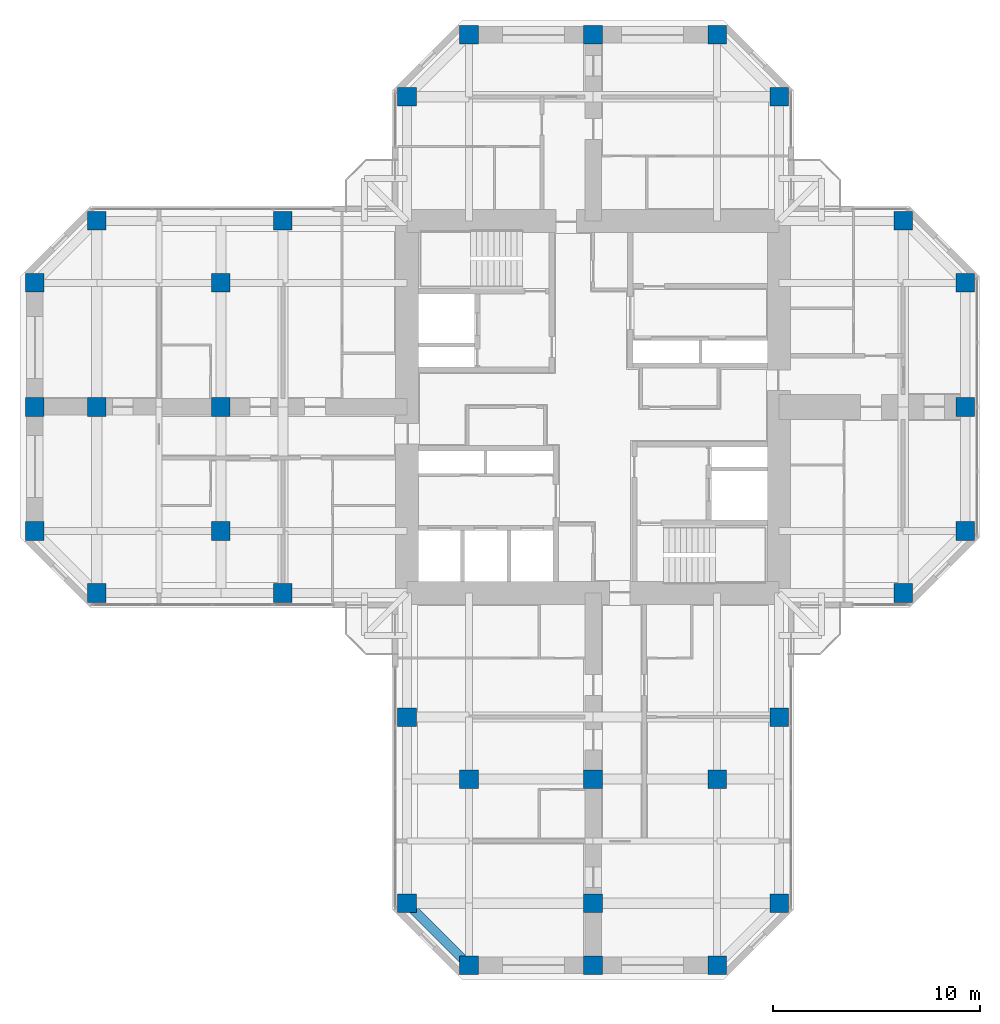
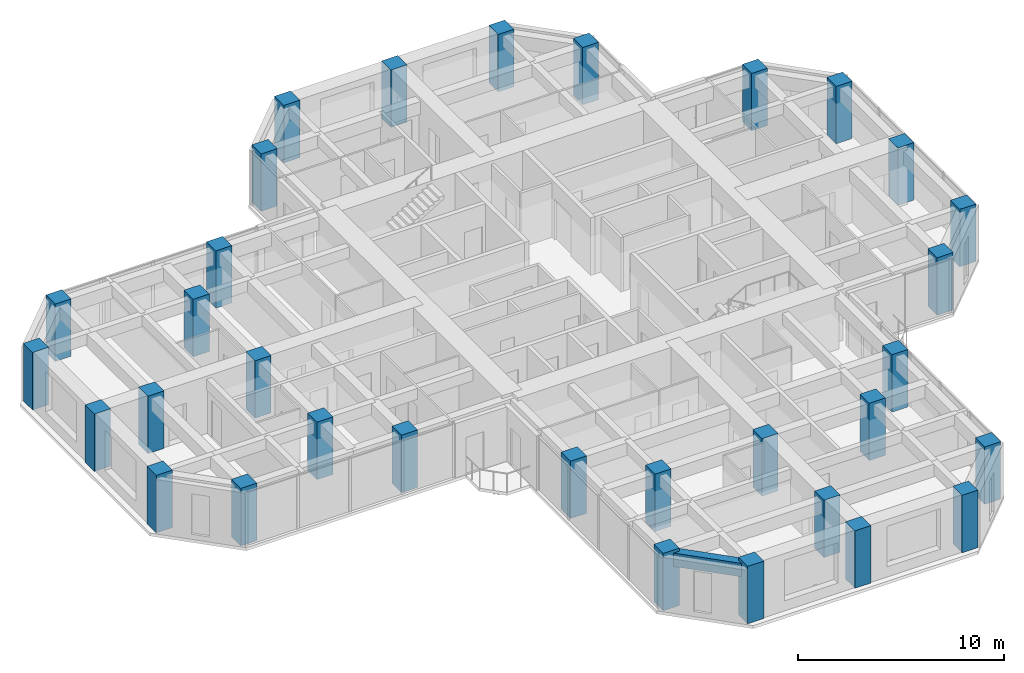
# One storey, part 1 of 14: 32 columns, 1 beam.
"""IFC4 building model written with IfcOpenShell, lengths in metres."""

import ifcopenshell
import ifcopenshell.guid

model = None  # the IFC model being written
_history = None  # IfcOwnerHistory: only IFC2X3 demands one
_inside = {}  # id of a spatial element -> (the spatial element, [elements in it])
_under = {}  # id of a project, library or spatial element -> (it, [spatial elements below it])
_declared = {}  # id of a project -> (the project, [libraries it declares])
_typed = {}  # id of a type object -> (the type object, [elements of that type])
_made_of = {}  # id of a material, layer set ... -> (it, [elements and type objects made of it])


def new_model(schema):
    """Start an empty IFC model of exactly this schema.

    Asked for "IFC4X3", IfcOpenShell would pick the latest addendum, in which some entities
    have other attributes; the version numbers below select the first issue.
    IFC2X3 requires an IfcOwnerHistory on every rooted entity: one is made here for all.
    """
    global model, _history
    if schema == "IFC4X3":
        model = ifcopenshell.file(schema_version=(4, 3, 0, 0))
    else:
        model = ifcopenshell.file(schema=schema)
    _inside.clear()
    _under.clear()
    _declared.clear()
    _typed.clear()
    _made_of.clear()
    _history = None
    if model.schema == "IFC2X3":
        org = make("IfcOrganization", Name="unknown")
        user = make(
            "IfcPersonAndOrganization",
            ThePerson=make("IfcPerson", FamilyName="unknown"),
            TheOrganization=org,
        )
        app = make(
            "IfcApplication",
            ApplicationDeveloper=org,
            Version="unknown",
            ApplicationFullName="unknown",
            ApplicationIdentifier="unknown",
        )
        _history = make(
            "IfcOwnerHistory",
            OwningUser=user,
            OwningApplication=app,
            ChangeAction="ADDED",
            CreationDate=0,
        )
    return model


def make(cls, **values):
    """One entity of the class cls with the attributes given. An attribute that is None is left unset."""
    return model.create_entity(
        cls, **{name: value for name, value in values.items() if value is not None}
    )


def rooted(cls, **values):
    """An entity with a GlobalId (a new one), such as an element, a storey or a relation."""
    return make(cls, GlobalId=ifcopenshell.guid.new(), OwnerHistory=_history, **values)


def si_unit(unit_type, name, prefix=None):
    """IfcSIUnit, for example si_unit("LENGTHUNIT", "METRE", prefix="MILLI")."""
    return make("IfcSIUnit", UnitType=unit_type, Prefix=prefix, Name=name)


def assignment(units):
    """IfcUnitAssignment: the units of a project."""
    return None if units is None else make("IfcUnitAssignment", Units=units)


def point(xyz):
    """IfcCartesianPoint."""
    return None if xyz is None else make("IfcCartesianPoint", Coordinates=xyz)


def direction(xyz):
    """IfcDirection."""
    return None if xyz is None else make("IfcDirection", DirectionRatios=xyz)


def frame(location, z_axis=None, x_axis=None):
    """IfcAxis2Placement3D, a coordinate frame: its origin and axes. An axis left out is left unset."""
    return make(
        "IfcAxis2Placement3D",
        Location=point(location),
        Axis=direction(z_axis),
        RefDirection=direction(x_axis),
    )


def frame_2d(location, x_axis=None):
    """IfcAxis2Placement2D, a coordinate frame in the plane: its origin and x axis."""
    return make(
        "IfcAxis2Placement2D", Location=point(location), RefDirection=direction(x_axis)
    )


def origin():
    """The frame at (0, 0, 0) with its axes left unset."""
    return frame((0.0, 0.0, 0.0))


def origin_2d():
    """The frame at (0, 0) in the plane with its x axis left unset."""
    return frame_2d((0.0, 0.0))


def place(relative_to, where):
    """IfcLocalPlacement: puts the frame where relative to a parent placement (None: the world)."""
    return make(
        "IfcLocalPlacement", PlacementRelTo=relative_to, RelativePlacement=where
    )


def context(
    kind, dimensions, precision=None, world=None, true_north=None, identifier=None
):
    """IfcGeometricRepresentationContext, for example the 3D "Model" context."""
    return make(
        "IfcGeometricRepresentationContext",
        ContextIdentifier=identifier,
        ContextType=kind,
        CoordinateSpaceDimension=dimensions,
        Precision=precision,
        WorldCoordinateSystem=world,
        TrueNorth=true_north,
    )


def subcontext(parent, identifier, kind, view, scale=None):
    """IfcGeometricRepresentationSubContext, for example "Body" below "Model"."""
    return make(
        "IfcGeometricRepresentationSubContext",
        ContextIdentifier=identifier,
        ContextType=kind,
        ParentContext=parent,
        TargetScale=scale,
        TargetView=view,
    )


def project(units=None, contexts=None):
    """IfcProject with its units and contexts."""
    return rooted(
        "IfcProject",
        Name="project",
        RepresentationContexts=contexts,
        UnitsInContext=assignment(units),
    )


def spatial(cls, under=None, at=None, **own):
    """A site, building, storey or space (cls), placed at a placement, below another one or the project."""
    s = rooted(cls, ObjectPlacement=at, **own)
    if under is not None:
        _under.setdefault(under.id(), (under, []))[1].append(s)
    return s


def profile(cls, at=None, kind="AREA", **sizes):
    """A parametric profile (cls). Its sizes go by their IFC names, for example OverallWidth=200.0."""
    return make(cls, ProfileType=kind, Position=at, **sizes)


def rectangle(**sizes):
    """IfcRectangleProfileDef."""
    return profile("IfcRectangleProfileDef", **sizes)


def extrude(swept, where, along, depth):
    """IfcExtrudedAreaSolid: the profile swept, set in the frame where, extruded along a direction by depth."""
    return make(
        "IfcExtrudedAreaSolid",
        SweptArea=swept,
        Position=where,
        ExtrudedDirection=direction(along),
        Depth=depth,
    )


def shape(context_of_items, identifier, shape_type, items):
    """IfcShapeRepresentation: the items that make up one representation, for example the "Body"."""
    return make(
        "IfcShapeRepresentation",
        ContextOfItems=context_of_items,
        RepresentationIdentifier=identifier,
        RepresentationType=shape_type,
        Items=items,
    )


def material(Name=None, Category=None):
    """IfcMaterial."""
    return make("IfcMaterial", Name=Name, Category=Category)


def material_profile(
    of_material, cross_section, Name=None, Category=None, Priority=None
):
    """IfcMaterialProfile: a cross section and its material."""
    return make(
        "IfcMaterialProfile",
        Name=Name,
        Material=of_material,
        Profile=cross_section,
        Priority=Priority,
        Category=Category,
    )


def profile_set(profiles, Name=None, composite=None):
    """IfcMaterialProfileSet."""
    return make(
        "IfcMaterialProfileSet",
        Name=Name,
        MaterialProfiles=profiles,
        CompositeProfile=composite,
    )


def made_of(thing, what):
    """Note that an element or type object is made of a material, layer set ...; save() writes the relation."""
    if what is not None:
        _made_of.setdefault(what.id(), (what, []))[1].append(thing)
    return thing


def type_object(cls, material=None, **own):
    """A type object (cls), such as IfcWallType, which elements share."""
    return made_of(rooted(cls, **own), material)


def element(
    cls,
    number,
    at=None,
    inside=None,
    cuts=None,
    type_object=None,
    material=None,
    context=None,
    identifier="Body",
    shape_type=None,
    held_by="IfcProductDefinitionShape",
    body=None,
    shapes=None,
    **own,
):
    """One element of the class cls, such as IfcWall. Its Tag is "e" and its number.

    at: its placement. inside: the storey or other place that contains it. cuts: it is an
    opening in that element (IfcRelVoidsElement). A single representation is given by context,
    identifier, shape_type and body (its items); several are given by shapes. held_by: the class
    of the entity that holds the representations. save() writes the other relations.
    """
    e = rooted(cls, Tag="e%d" % number, ObjectPlacement=at, **own)
    if body is not None:
        shapes = [shape(context, identifier, shape_type, body)]
    if shapes is not None:
        e.Representation = make(held_by, Representations=shapes)
    if inside is not None:
        _inside.setdefault(inside.id(), (inside, []))[1].append(e)
    if cuts is not None:
        rooted(
            "IfcRelVoidsElement", RelatingBuildingElement=cuts, RelatedOpeningElement=e
        )
    if type_object is not None:
        _typed.setdefault(type_object.id(), (type_object, []))[1].append(e)
    return made_of(e, material)


def aggregate(whole, parts):
    """IfcRelAggregates: a whole, such as a stair, and the parts it consists of."""
    return rooted("IfcRelAggregates", RelatingObject=whole, RelatedObjects=parts)


def save(model, path):
    """Write the relations noted so far, then the file.

    IfcRelAggregates (storeys below a building ...), IfcRelContainedInSpatialStructure (elements
    in a storey), IfcRelDefinesByType, IfcRelAssociatesMaterial and IfcRelDeclares: one each for
    every whole, place, type object, material and project.
    """
    for whole, parts in _under.values():
        aggregate(whole, parts)
    for where, things in _inside.values():
        rooted(
            "IfcRelContainedInSpatialStructure",
            RelatedElements=things,
            RelatingStructure=where,
        )
    for kind, things in _typed.values():
        rooted("IfcRelDefinesByType", RelatedObjects=things, RelatingType=kind)
    for what, things in _made_of.values():
        rooted("IfcRelAssociatesMaterial", RelatedObjects=things, RelatingMaterial=what)
    for by, libraries in _declared.values():
        rooted("IfcRelDeclares", RelatingContext=by, RelatedDefinitions=libraries)
    model.write(path)


model = new_model("IFC4")

# Units and contexts
model_context = context("Model", 3, precision=1e-05, world=origin(), true_north=direction((0.0, 1.0)))
body_context = subcontext(model_context, "Body", "Model", "MODEL_VIEW")
ifc_project = project(units=[si_unit("LENGTHUNIT", "METRE"), si_unit("AREAUNIT", "SQUARE_METRE"), si_unit("VOLUMEUNIT", "CUBIC_METRE"), si_unit("PLANEANGLEUNIT", "RADIAN"), si_unit("MASSUNIT", "GRAM", prefix="KILO")], contexts=[model_context])

# Site, building, storey
site_placement = place(None, origin())
site = spatial("IfcSite", under=ifc_project, at=site_placement, CompositionType="ELEMENT")
building_placement = place(site_placement, origin())
building = spatial("IfcBuilding", under=site, at=building_placement, Name="Torre Cruceta", CompositionType="ELEMENT")
storey_placement = place(building_placement, frame((0.0, 0.0, 183.10009765625)))
storey = spatial("IfcBuildingStorey", under=building, at=storey_placement, Name="L45", CompositionType="ELEMENT", Elevation=183.10009765625)

# Columns
ifc_material_1 = material(Name="Concrete G60 (fck 60 MPa)", Category="concrete")
ifc_material_profile_1 = material_profile(ifc_material_1, rectangle(XDim=0.89990234375, YDim=0.89990234375, at=origin_2d()), Name="RC 900X900")
ifc_profile_set_1 = profile_set([ifc_material_profile_1], Name="Concrete G60 (fck 60 MPa)")
column_type = type_object("IfcColumnType", Name="COLUMN RC 900X900", PredefinedType="COLUMN", material=ifc_profile_set_1)
for number, where, z_axis, x_axis, name in (
    (1, (9.0, 15.0, 0.0), (0.0, 0.0, 1.0), (1.0, 0.0, 0.0), "C6 L45 N chamfer"),
    (2, (-9.0, 15.0, 0.0), (0.0, 0.0, 1.0), (1.0, 0.0, 0.0), "C6 L45 N chamfer"),
    (3, (6.0, 18.0, 0.0), (0.0, 0.0, 1.0), (1.0, 0.0, 0.0), "C6 L45 N tip"),
    (4, (0.0, 18.0, 0.0), (0.0, 0.0, 1.0), (1.0, 0.0, 0.0), "C6 L45 N tip"),
    (5, (-6.0, 18.0, 0.0), (0.0, 0.0, 1.0), (1.0, 0.0, 0.0), "C6 L45 N tip"),
    (6, (15.0, -9.0, 0.0), (0.0, 0.0, 1.0), (1.0, 0.0, 0.0), "C6 L45 E chamfer"),
    (7, (15.0, 9.0, 0.0), (0.0, 0.0, 1.0), (1.0, 0.0, 0.0), "C6 L45 E chamfer"),
    (8, (18.0, -6.0, 0.0), (0.0, 0.0, 1.0), (1.0, 0.0, 0.0), "C6 L45 E tip"),
    (9, (18.0, 0.0, 0.0), (0.0, 0.0, 1.0), (1.0, 0.0, 0.0), "C6 L45 E tip"),
    (10, (18.0, 6.0, 0.0), (0.0, 0.0, 1.0), (1.0, 0.0, 0.0), "C6 L45 E tip"),
    (11, (-9.0, -15.0, 0.0), (0.0, 0.0, 1.0), (1.0, 0.0, 0.0), "C6 L45 S side"),
    (12, (-9.0, -24.0, 0.0), (0.0, 0.0, 1.0), (1.0, 0.0, 0.0), "C6 L45 S chamfer"),
    (13, (9.0, -15.0, 0.0), (0.0, 0.0, 1.0), (1.0, 0.0, 0.0), "C6 L45 S side"),
    (14, (9.0, -24.0, 0.0), (0.0, 0.0, 1.0), (1.0, 0.0, 0.0), "C6 L45 S chamfer"),
    (15, (-6.0, -27.0, 0.0), (0.0, 0.0, 1.0), (1.0, 0.0, 0.0), "C6 L45 S tip"),
    (16, (0.0, -27.0, 0.0), (0.0, 0.0, 1.0), (1.0, 0.0, 0.0), "C6 L45 S tip"),
    (17, (6.0, -27.0, 0.0), (0.0, 0.0, 1.0), (1.0, 0.0, 0.0), "C6 L45 S tip"),
    (18, (-15.0, 9.0, 0.0), (0.0, 0.0, 1.0), (1.0, 0.0, 0.0), "C6 L45 W side"),
    (19, (-24.0, 9.0, 0.0), (0.0, 0.0, 1.0), (1.0, 0.0, 0.0), "C6 L45 W chamfer"),
    (20, (-15.0, -9.0, 0.0), (0.0, 0.0, 1.0), (1.0, 0.0, 0.0), "C6 L45 W side"),
    (21, (-24.0, -9.0, 0.0), (0.0, 0.0, 1.0), (1.0, 0.0, 0.0), "C6 L45 W chamfer"),
    (22, (-27.0, 6.0, 0.0), (0.0, 0.0, 1.0), (1.0, 0.0, 0.0), "C6 L45 W tip"),
    (23, (-27.0, 0.0, 0.0), (0.0, 0.0, 1.0), (1.0, 0.0, 0.0), "C6 L45 W tip"),
    (24, (-27.0, -6.0, 0.0), (0.0, 0.0, 1.0), (1.0, 0.0, 0.0), "C6 L45 W tip"),
    (25, (-6.0, -18.0, 0.0), (0.0, 0.0, 1.0), (1.0, 0.0, 0.0), "C6 L45 S interior"),
    (26, (0.0, -18.0, 0.0), (0.0, 0.0, 1.0), (1.0, 0.0, 0.0), "C6 L45 S interior"),
    (27, (6.0, -18.0, 0.0), (0.0, 0.0, 1.0), (1.0, 0.0, 0.0), "C6 L45 S interior"),
    (28, (0.0, -24.0, 0.0), (0.0, 0.0, 1.0), (1.0, 0.0, 0.0), "C6 L45 S interior"),
    (29, (-18.0, 6.0, 0.0), (0.0, 0.0, 1.0), (1.0, 0.0, 0.0), "C6 L45 W interior"),
    (30, (-18.0, 0.0, 0.0), (0.0, 0.0, 1.0), (1.0, 0.0, 0.0), "C6 L45 W interior"),
    (31, (-18.0, -6.0, 0.0), (0.0, 0.0, 1.0), (1.0, 0.0, 0.0), "C6 L45 W interior"),
    (32, (-24.0, 0.0, 0.0), (0.0, 0.0, 1.0), (1.0, 0.0, 0.0), "C6 L45 W interior"),
):
    element("IfcColumn", number, at=place(storey_placement, frame(where, z_axis=z_axis, x_axis=x_axis)), inside=storey, type_object=column_type, Name=name, PredefinedType="COLUMN", context=body_context, shape_type="SweptSolid", body=[
        extrude(rectangle(XDim=0.89990234375, YDim=0.89990234375, at=origin_2d()), origin(), (0.0, 0.0, 1.0), 3.39990234375),
    ])

# Beam
ifc_material_2 = material(Name="Concrete G60 (fck 60 MPa)", Category="concrete")
ifc_material_profile_2 = material_profile(ifc_material_2, rectangle(XDim=0.449951171875, YDim=0.800048828125, at=origin_2d()), Name="RC 450X800")
ifc_profile_set_2 = profile_set([ifc_material_profile_2], Name="Concrete G60 (fck 60 MPa)")
beam_type = type_object("IfcBeamType", Name="SPANDREL BEAM RC 450X800", PredefinedType="SPANDREL", material=ifc_profile_set_2)
beam_placement = place(storey_placement, frame((-9.0, -24.0, 2.81982421875), z_axis=(0.707106781187, -0.707106781187, 0.0), x_axis=(0.707106781187, 0.707106781187, 0.0)))
element("IfcBeam", 33, at=beam_placement, inside=storey, type_object=beam_type, Name="SB6 L45 S side- 5", PredefinedType="SPANDREL", context=body_context, shape_type="SweptSolid", body=[
    extrude(rectangle(XDim=0.449951171875, YDim=0.800048828125, at=origin_2d()), origin(), (0.0, 0.0, 1.0), 4.24267578125),
])

save(model, "model.ifc")
